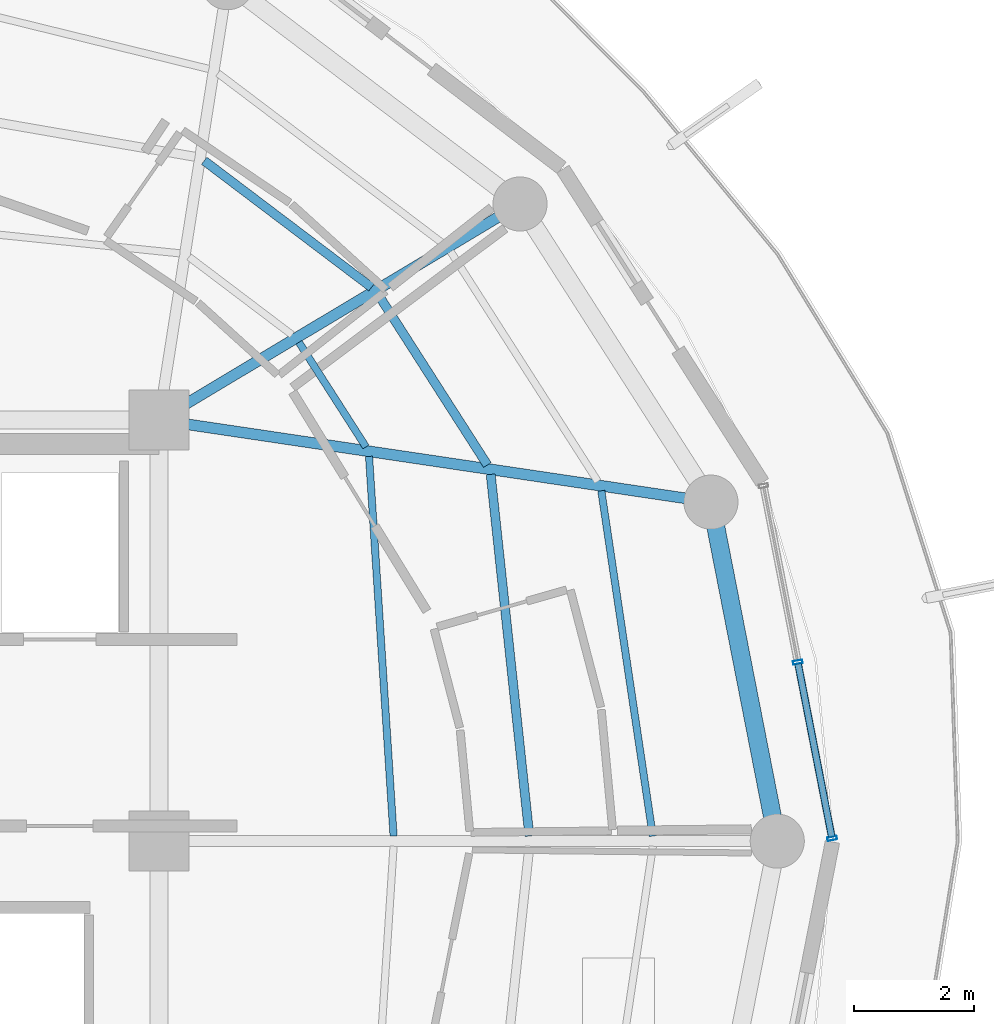
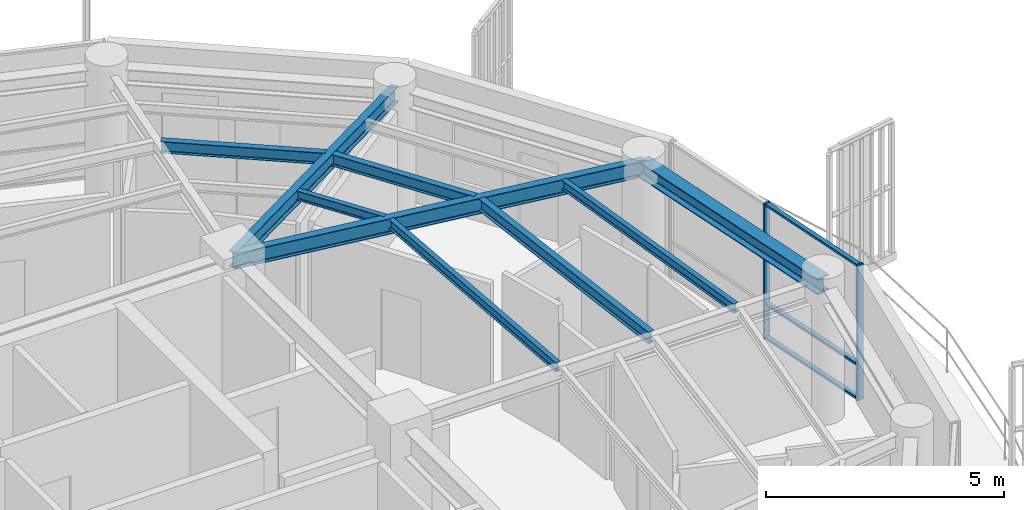
# One storey, part 11 of 24: 9 beams, 5 members, 1 element without a shape of its own.
"""IFC4 building model written with IfcOpenShell, lengths in metres."""

from ifc_helpers import new_model, si_unit, direction, frame, origin, origin_2d, place, context, subcontext, project, spatial, hollow_rectangle, i_section, extrude, material, layer, layer_set, material_profile, profile_set, type_object, element, aggregate, save


model = new_model("IFC4")

# Units and contexts
model_context = context("Model", 3, precision=1e-05, world=origin(), true_north=direction((0.0, 1.0)))
body_context = subcontext(model_context, "Body", "Model", "MODEL_VIEW")
ifc_project = project(units=[si_unit("LENGTHUNIT", "METRE"), si_unit("AREAUNIT", "SQUARE_METRE"), si_unit("VOLUMEUNIT", "CUBIC_METRE"), si_unit("PLANEANGLEUNIT", "RADIAN"), si_unit("MASSUNIT", "GRAM", prefix="KILO")], contexts=[model_context])

# Site, building, storey
site_placement = place(None, origin())
site = spatial("IfcSite", under=ifc_project, at=site_placement, CompositionType="ELEMENT")
building_placement = place(site_placement, origin())
building = spatial("IfcBuilding", under=site, at=building_placement, Name="Kelanora Arch Commons", CompositionType="ELEMENT")
storey_placement = place(building_placement, frame((0.0, 0.0, 248.699951171875)))
storey = spatial("IfcBuildingStorey", under=building, at=storey_placement, Name="L63", CompositionType="ELEMENT", Elevation=248.699951171875)

# Beams
ifc_material_1 = material(Name="Steel S355", Category="steel")
ifc_material_profile_1 = material_profile(ifc_material_1, i_section(OverallWidth=0.14990234375, OverallDepth=0.300048828125, WebThickness=0.007080078125, FlangeThickness=0.0107421875, FilletRadius=0.014892578125, at=origin_2d()), Name="IPE300")
ifc_profile_set_1 = profile_set([ifc_material_profile_1], Name="Steel S355")
beam_type_1 = type_object("IfcBeamType", Name="BM-JST-01", PredefinedType="JOIST", material=ifc_profile_set_1)
beam_1_placement = place(storey_placement, frame((88.158935546875, 58.08447265625, 3.340087890625), z_axis=(-0.106380594087, 0.994325484538, 0.0), x_axis=(-0.994325484538, -0.106380594087, 0.0)))
element("IfcBeam", 1, at=beam_1_placement, inside=storey, type_object=beam_type_1, Name="Secondary Chord Joist BJB-00 L63", PredefinedType="JOIST", context=body_context, shape_type="SweptSolid", body=[
    extrude(i_section(OverallWidth=0.14990234375, OverallDepth=0.300048828125, WebThickness=0.007080078125, FlangeThickness=0.0107421875, FilletRadius=0.014892578125, at=origin_2d()), origin(), (0.0, 0.0, 1.0), 6.04736328125),
])
beam_2_placement = place(storey_placement, frame((87.460693359375, 64.25341796875, 3.340087890625), z_axis=(-0.539321586177, 0.842099891155, 0.0), x_axis=(-0.842099891155, -0.539321586177, 0.0)))
element("IfcBeam", 2, at=beam_2_placement, inside=storey, type_object=beam_type_1, Name="Secondary Chord Joist BJB-02 L63", PredefinedType="JOIST", context=body_context, shape_type="SweptSolid", body=[
    extrude(i_section(OverallWidth=0.14990234375, OverallDepth=0.300048828125, WebThickness=0.007080078125, FlangeThickness=0.0107421875, FilletRadius=0.014892578125, at=origin_2d()), origin(), (0.0, 0.0, 1.0), 3.361572265625),
])
beam_3_placement = place(storey_placement, frame((85.5341796875, 67.20703125, 3.340087890625), z_axis=(-0.797499198801, 0.603320004568, 0.0), x_axis=(-0.603320004568, -0.797499198801, 0.0)))
element("IfcBeam", 3, at=beam_3_placement, inside=storey, type_object=beam_type_1, Name="Secondary Chord Joist BJB-04 L63", PredefinedType="JOIST", context=body_context, shape_type="SweptSolid", body=[
    extrude(i_section(OverallWidth=0.14990234375, OverallDepth=0.300048828125, WebThickness=0.007080078125, FlangeThickness=0.0107421875, FilletRadius=0.014892578125, at=origin_2d()), origin(), (0.0, 0.0, 1.0), 3.489013671875),
])
ifc_material_profile_2 = material_profile(ifc_material_1, i_section(OverallWidth=0.1201171875, OverallDepth=0.239990234375, WebThickness=0.006103515625, FlangeThickness=0.009765625, FilletRadius=0.014892578125, at=origin_2d()), Name="IPE240")
ifc_profile_set_2 = profile_set([ifc_material_profile_2], Name="Steel S355")
beam_type_2 = type_object("IfcBeamType", Name="BM-JST-02", PredefinedType="JOIST", material=ifc_profile_set_2)
beam_4_placement = place(storey_placement, frame((85.90087890625, 58.084716796875, 3.3701171875), z_axis=(-0.064495107978, 0.99791802321, 0.0), x_axis=(-0.99791802321, -0.064495107978, 0.0)))
element("IfcBeam", 4, at=beam_4_placement, inside=storey, type_object=beam_type_2, Name="Secondary Chord Joist BJA-00 L63", PredefinedType="JOIST", context=body_context, shape_type="SweptSolid", body=[
    extrude(i_section(OverallWidth=0.1201171875, OverallDepth=0.239990234375, WebThickness=0.006103515625, FlangeThickness=0.009765625, FilletRadius=0.014892578125, at=origin_2d()), origin(), (0.0, 0.0, 1.0), 6.325439453125),
])
beam_5_placement = place(storey_placement, frame((90.21142578125, 58.083984375, 3.3701171875), z_axis=(-0.14762470282, 0.989043450571, 0.0), x_axis=(-0.989043450571, -0.14762470282, 0.0)))
element("IfcBeam", 5, at=beam_5_placement, inside=storey, type_object=beam_type_2, Name="Secondary Chord Joist BJC-00 L63", PredefinedType="JOIST", context=body_context, shape_type="SweptSolid", body=[
    extrude(i_section(OverallWidth=0.1201171875, OverallDepth=0.239990234375, WebThickness=0.006103515625, FlangeThickness=0.009765625, FilletRadius=0.014892578125, at=origin_2d()), origin(), (0.0, 0.0, 1.0), 5.804931640625),
])
beam_6_placement = place(storey_placement, frame((85.441650390625, 64.553466796875, 3.3701171875), z_axis=(-0.539311810315, 0.842106152011, 0.0), x_axis=(-0.842106152011, -0.539311810315, 0.0)))
element("IfcBeam", 6, at=beam_6_placement, inside=storey, type_object=beam_type_2, Name="Secondary Chord Joist BJA-02 L63", PredefinedType="JOIST", context=body_context, shape_type="SweptSolid", body=[
    extrude(i_section(OverallWidth=0.1201171875, OverallDepth=0.239990234375, WebThickness=0.006103515625, FlangeThickness=0.009765625, FilletRadius=0.014892578125, at=origin_2d()), origin(), (0.0, 0.0, 1.0), 2.06640625),
])
ifc_material_profile_3 = material_profile(ifc_material_1, i_section(OverallWidth=0.179931640625, OverallDepth=0.39990234375, WebThickness=0.008544921875, FlangeThickness=0.013427734375, FilletRadius=0.02099609375, at=origin_2d()), Name="IPE400")
ifc_profile_set_3 = profile_set([ifc_material_profile_3], Name="Steel S355")
beam_type_3 = type_object("IfcBeamType", Name="BM-RAD-Z5", PredefinedType="BEAM", material=ifc_profile_set_3)
beam_7_placement = place(storey_placement, frame((82.0, 65.0, 3.2900390625), z_axis=(0.989142485564, -0.146959665395, 0.0), x_axis=(0.146959665395, 0.989142485564, 0.0)))
element("IfcBeam", 7, at=beam_7_placement, inside=storey, type_object=beam_type_3, Name="Radial Floor Girder BR-02 L63", PredefinedType="BEAM", context=body_context, shape_type="SweptSolid", body=[
    extrude(i_section(OverallWidth=0.179931640625, OverallDepth=0.39990234375, WebThickness=0.008544921875, FlangeThickness=0.013427734375, FilletRadius=0.02099609375, at=origin_2d()), origin(), (0.0, 0.0, 1.0), 9.2783203125),
])
beam_8_placement = place(storey_placement, frame((82.0, 65.0, 3.2900390625), z_axis=(0.858062005744, 0.513546097541, 0.0), x_axis=(-0.513546097541, 0.858062005744, 0.0)))
element("IfcBeam", 8, at=beam_8_placement, inside=storey, type_object=beam_type_3, Name="Radial Floor Girder BR-04 L63", PredefinedType="BEAM", context=body_context, shape_type="SweptSolid", body=[
    extrude(i_section(OverallWidth=0.179931640625, OverallDepth=0.39990234375, WebThickness=0.008544921875, FlangeThickness=0.013427734375, FilletRadius=0.02099609375, at=origin_2d()), origin(), (0.0, 0.0, 1.0), 6.99658203125),
])
ifc_material_profile_4 = material_profile(ifc_material_1, i_section(OverallWidth=0.300048828125, OverallDepth=0.39990234375, WebThickness=0.013427734375, FlangeThickness=0.02392578125, FilletRadius=0.027099609375, at=origin_2d()), Name="HEB400")
ifc_profile_set_4 = profile_set([ifc_material_profile_4], Name="Steel S355")
beam_type_4 = type_object("IfcBeamType", Name="BM-SPN-Z4", PredefinedType="SPANDREL", material=ifc_profile_set_4)
beam_9_placement = place(storey_placement, frame((92.280029296875, 58.0, 3.2900390625), z_axis=(-0.191969774604, 0.981400838413, 0.0), x_axis=(-0.981400838413, -0.191969774604, 0.0)))
element("IfcBeam", 9, at=beam_9_placement, inside=storey, type_object=beam_type_4, Name="Perimeter Spandrel Beam BS-00 L63", PredefinedType="SPANDREL", context=body_context, shape_type="SweptSolid", body=[
    extrude(i_section(OverallWidth=0.300048828125, OverallDepth=0.39990234375, WebThickness=0.013427734375, FlangeThickness=0.02392578125, FilletRadius=0.027099609375, at=origin_2d()), origin(), (0.0, 0.0, 1.0), 5.743408203125),
])

# Curtain wall, members
ifc_material_2 = material(Name="Terracotta ceramic-fritted low-E glass and aluminium", Category="masonry")
ifc_layer = layer(ifc_material_2, 0.18994140625)
ifc_layer_set = layer_set([ifc_layer], Name="Terracotta ceramic-fritted low-E glass and aluminium")
curtain_wall_type = type_object("IfcCurtainWallType", Name="CW-SYS-03", PredefinedType="NOTDEFINED", material=ifc_layer_set)
curtain_wall_placement = place(storey_placement, origin())
curtain_wall = element("IfcCurtainWall", 10, at=curtain_wall_placement, inside=storey, type_object=curtain_wall_type, Name="Unitised Curtain Wall L63-B00", PredefinedType="NOTDEFINED")
ifc_material_3 = material(Name="Powder-coated aluminium terracotta", Category="masonry")
ifc_material_profile_5 = material_profile(ifc_material_3, hollow_rectangle(XDim=0.159912109375, YDim=0.06005859375, WallThickness=0.0048828125, InnerFilletRadius=0.0048828125, OuterFilletRadius=0.010009765625, at=origin_2d()), Name="CWM160x60")
ifc_profile_set_5 = profile_set([ifc_material_profile_5], Name="Powder-coated aluminium terracotta")
member_type_1 = type_object("IfcMemberType", Name="CWM-STD", PredefinedType="MULLION", material=ifc_profile_set_5)
member_1_placement = place(storey_placement, frame((93.19140625, 58.044189453125, 0.0), z_axis=(0.0, 0.0, 1.0), x_axis=(-0.981595542501, -0.190971701941, 0.0)))
member_1 = element("IfcMember", 11, at=member_1_placement, type_object=member_type_1, Name="CW-03 mullion 1", PredefinedType="MULLION", context=body_context, shape_type="SweptSolid", body=[
    extrude(hollow_rectangle(XDim=0.159912109375, YDim=0.06005859375, WallThickness=0.0048828125, InnerFilletRadius=0.0048828125, OuterFilletRadius=0.010009765625, at=origin_2d()), origin(), (0.0, 0.0, 1.0), 3.47509765625),
])
member_2_placement = place(storey_placement, frame((92.62109375, 60.9755859375, 0.0), z_axis=(0.0, 0.0, 1.0), x_axis=(-0.981595542501, -0.190971701941, 0.0)))
member_2 = element("IfcMember", 12, at=member_2_placement, type_object=member_type_1, Name="CW-03 mullion 2", PredefinedType="MULLION", context=body_context, shape_type="SweptSolid", body=[
    extrude(hollow_rectangle(XDim=0.159912109375, YDim=0.06005859375, WallThickness=0.0048828125, InnerFilletRadius=0.0048828125, OuterFilletRadius=0.010009765625, at=origin_2d()), origin(), (0.0, 0.0, 1.0), 3.47509765625),
])
ifc_material_profile_6 = material_profile(ifc_material_3, hollow_rectangle(XDim=0.1201171875, YDim=0.06005859375, WallThickness=0.0048828125, InnerFilletRadius=0.0048828125, OuterFilletRadius=0.010009765625, at=origin_2d()), Name="CWT120x60")
ifc_profile_set_6 = profile_set([ifc_material_profile_6], Name="Powder-coated aluminium terracotta")
member_type_2 = type_object("IfcMemberType", Name="CWT-STD", PredefinedType="USERDEFINED", material=ifc_profile_set_6)
member_3_placement = place(storey_placement, frame((93.185546875, 58.073486328125, 0.030029296875), z_axis=(-0.190963443354, 0.981597149192, 0.0), x_axis=(-0.981597149192, -0.190963443354, 0.0)))
member_3 = element("IfcMember", 13, at=member_3_placement, type_object=member_type_2, Name="CW-03 transom 1.1", ObjectType="TRANSOM", PredefinedType="USERDEFINED", context=body_context, shape_type="SweptSolid", body=[
    extrude(hollow_rectangle(XDim=0.1201171875, YDim=0.06005859375, WallThickness=0.0048828125, InnerFilletRadius=0.0048828125, OuterFilletRadius=0.010009765625, at=origin_2d()), origin(), (0.0, 0.0, 1.0), 2.926513671875),
])
member_4_placement = place(storey_placement, frame((93.185546875, 58.073486328125, 0.900146484375), z_axis=(-0.190963443354, 0.981597149192, 0.0), x_axis=(-0.981597149192, -0.190963443354, 0.0)))
member_4 = element("IfcMember", 14, at=member_4_placement, type_object=member_type_2, Name="CW-03 transom 1.2", ObjectType="TRANSOM", PredefinedType="USERDEFINED", context=body_context, shape_type="SweptSolid", body=[
    extrude(hollow_rectangle(XDim=0.1201171875, YDim=0.06005859375, WallThickness=0.0048828125, InnerFilletRadius=0.0048828125, OuterFilletRadius=0.010009765625, at=origin_2d()), origin(), (0.0, 0.0, 1.0), 2.926513671875),
])
member_5_placement = place(storey_placement, frame((93.185546875, 58.073486328125, 3.445068359375), z_axis=(-0.190963443354, 0.981597149192, 0.0), x_axis=(-0.981597149192, -0.190963443354, 0.0)))
member_5 = element("IfcMember", 15, at=member_5_placement, type_object=member_type_2, Name="CW-03 transom 1.3", ObjectType="TRANSOM", PredefinedType="USERDEFINED", context=body_context, shape_type="SweptSolid", body=[
    extrude(hollow_rectangle(XDim=0.1201171875, YDim=0.06005859375, WallThickness=0.0048828125, InnerFilletRadius=0.0048828125, OuterFilletRadius=0.010009765625, at=origin_2d()), origin(), (0.0, 0.0, 1.0), 2.926513671875),
])
aggregate(curtain_wall, [member_1, member_2, member_3, member_4, member_5])

save(model, "model.ifc")
